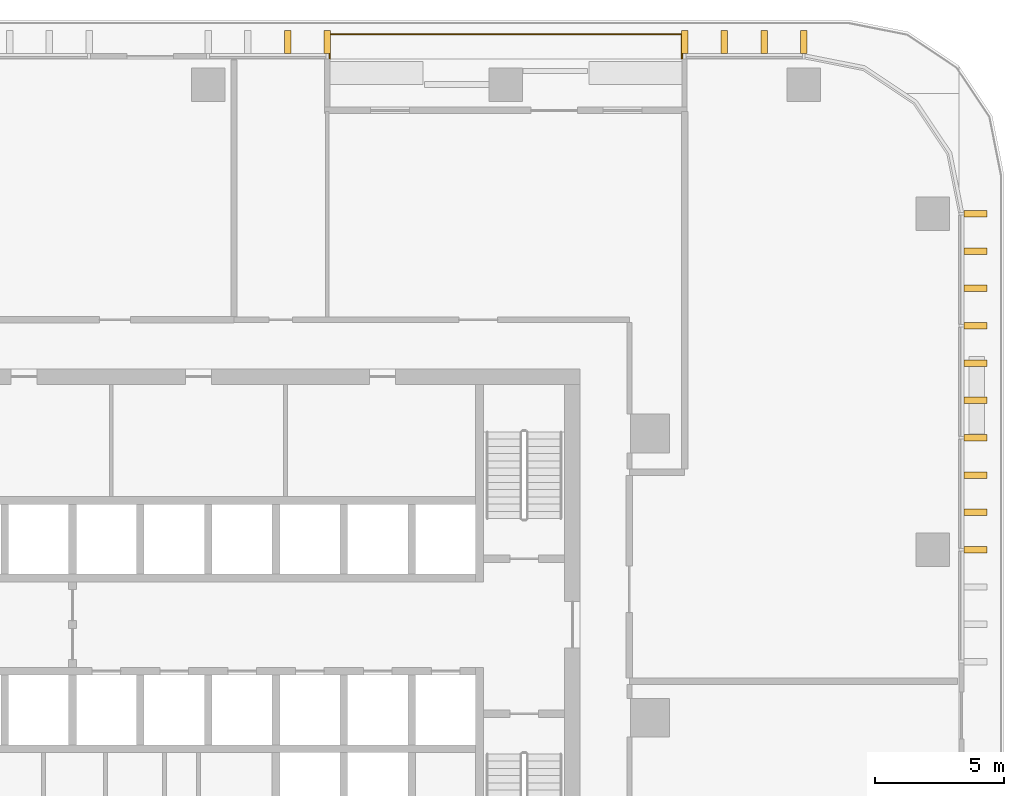
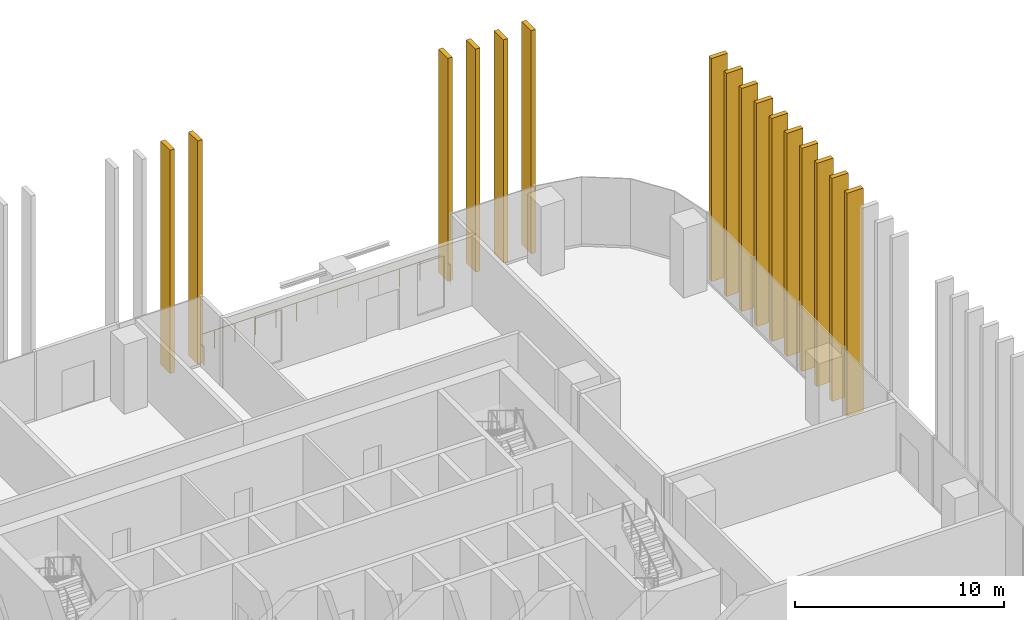
# One storey, part 18 of 18: 16 shading devices, 1 railing.
"""IFC4 building model written with IfcOpenShell, lengths in metres."""

from ifc_helpers import new_model, si_unit, direction, frame, origin, origin_2d, place, context, subcontext, project, spatial, rectangle, circle, extrude, material, type_object, element, save


model = new_model("IFC4")

# Units and contexts
model_context = context("Model", 3, precision=1e-05, world=origin(), true_north=direction((0.0, 1.0)))
body_context = subcontext(model_context, "Body", "Model", "MODEL_VIEW")
ifc_project = project(units=[si_unit("LENGTHUNIT", "METRE"), si_unit("AREAUNIT", "SQUARE_METRE"), si_unit("VOLUMEUNIT", "CUBIC_METRE"), si_unit("PLANEANGLEUNIT", "RADIAN"), si_unit("MASSUNIT", "GRAM", prefix="KILO")], contexts=[model_context])

# Site, building, storey
site_placement = place(None, origin())
site = spatial("IfcSite", under=ifc_project, at=site_placement, CompositionType="ELEMENT")
building_placement = place(site_placement, origin())
building = spatial("IfcBuilding", under=site, at=building_placement, Name="Mopane Tessera Tower", CompositionType="ELEMENT")
storey_placement = place(building_placement, frame((0.0, 0.0, 94.60009765625)))
storey = spatial("IfcBuildingStorey", under=building, at=storey_placement, Name="L18", CompositionType="ELEMENT", Elevation=94.60009765625)

# Shading devices
ifc_material_1 = material(Name="Glazed ceramic tile")
shading_device_type = type_object("IfcShadingDeviceType", Name="Ceramic tile fin 900 x 250 mm", PredefinedType="USERDEFINED", material=ifc_material_1)
for number, where, z_axis, x_axis, name in (
    (1, (29.699951171875, 6.5, 0.0), (0.0, 0.0, 1.0), (0.0, 1.0, 0.0), "e:fin:L18:E:6:0"),
    (2, (29.699951171875, 7.9443359375, 0.0), (0.0, 0.0, 1.0), (0.0, 1.0, 0.0), "e:fin:L18:E:6:1"),
    (3, (29.699951171875, 9.388916015625, 0.0), (0.0, 0.0, 1.0), (0.0, 1.0, 0.0), "e:fin:L18:E:6:2"),
    (4, (29.699951171875, 10.833251953125, 0.0), (0.0, 0.0, 1.0), (0.0, 1.0, 0.0), "e:fin:L18:E:7:0"),
    (5, (29.699951171875, 12.27783203125, 0.0), (0.0, 0.0, 1.0), (0.0, 1.0, 0.0), "e:fin:L18:E:7:1"),
    (6, (29.699951171875, 13.72216796875, 0.0), (0.0, 0.0, 1.0), (0.0, 1.0, 0.0), "e:fin:L18:E:7:2"),
    (7, (29.699951171875, 15.166748046875, 0.0), (0.0, 0.0, 1.0), (0.0, 1.0, 0.0), "e:fin:L18:E:8:0"),
    (8, (29.699951171875, 16.611083984375, 0.0), (0.0, 0.0, 1.0), (0.0, 1.0, 0.0), "e:fin:L18:E:8:1"),
    (9, (29.699951171875, 18.0556640625, 0.0), (0.0, 0.0, 1.0), (0.0, 1.0, 0.0), "e:fin:L18:E:8:2"),
    (10, (29.699951171875, 19.5, 0.0), (0.0, 0.0, 1.0), (0.0, 1.0, 0.0), "e:fin:L18:E:8:3"),
    (11, (23.050048828125, 26.14990234375, 0.0), (0.0, 0.0, 1.0), (-1.0, 0.0, 0.0), "e:fin:L18:N:0:0"),
    (12, (21.513427734375, 26.14990234375, 0.0), (0.0, 0.0, 1.0), (-1.0, 0.0, 0.0), "e:fin:L18:N:0:1"),
    (13, (19.9765625, 26.14990234375, 0.0), (0.0, 0.0, 1.0), (-1.0, 0.0, 0.0), "e:fin:L18:N:0:2"),
    (14, (18.43994140625, 26.14990234375, 0.0), (0.0, 0.0, 1.0), (-1.0, 0.0, 0.0), "e:fin:L18:N:0:3"),
    (15, (4.610107421875, 26.14990234375, 0.0), (0.0, 0.0, 1.0), (-1.0, 0.0, 0.0), "e:fin:L18:N:4:0"),
    (16, (3.0732421875, 26.14990234375, 0.0), (0.0, 0.0, 1.0), (-1.0, 0.0, 0.0), "e:fin:L18:N:4:1"),
):
    element("IfcShadingDevice", number, at=place(storey_placement, frame(where, z_axis=z_axis, x_axis=x_axis)), inside=storey, type_object=shading_device_type, Name=name, ObjectType="FIN", PredefinedType="USERDEFINED", context=body_context, shape_type="SweptSolid", body=[
        extrude(rectangle(XDim=0.25, YDim=0.89990234375, at=origin_2d()), origin(), (0.0, 0.0, 1.0), 13.050048828125),
    ])

# Railing
ifc_material_2 = material(Name="Stainless steel S316", Category="steel")
railing_type = type_object("IfcRailingType", Name="Terrace guard 1100", PredefinedType="GUARDRAIL", material=ifc_material_2)
railing_placement = place(storey_placement, frame((18.340087890625, 25.5, 0.0)))
element("IfcRailing", 17, at=railing_placement, inside=storey, type_object=railing_type, Name="e:nw:L18:N1:guard", PredefinedType="GUARDRAIL", context=body_context, shape_type="SweptSolid", body=[
    extrude(circle(Radius=0.02392578125, at=origin_2d()), frame((0.0, 0.0, 1.076171875), z_axis=(0.0, 1.0, 0.0), x_axis=(-1.0, 0.0, 0.0)), (0.0, 0.0, 1.0), 0.949951171875),
    extrude(circle(Radius=0.02392578125, at=origin_2d()), frame((0.0, 0.949951171875, 1.076171875), z_axis=(-1.0, 0.0, 0.0), x_axis=(0.0, -1.0, 0.0)), (0.0, 0.0, 1.0), 13.630126953125),
    extrude(circle(Radius=0.02392578125, at=origin_2d()), frame((-13.630126953125, 0.949951171875, 1.076171875), z_axis=(0.0, -1.0, 0.0), x_axis=(1.0, 0.0, 0.0)), (0.0, 0.0, 1.0), 0.949951171875),
    extrude(circle(Radius=0.02099609375, at=origin_2d()), origin(), (0.0, 0.0, 1.0), 1.052001953125),
    extrude(circle(Radius=0.02099609375, at=origin_2d()), frame((0.0, 0.949951171875, 0.0)), (0.0, 0.0, 1.0), 1.052001953125),
    extrude(circle(Radius=0.02099609375, at=origin_2d()), frame((-1.1357421875, 0.949951171875, 0.0)), (0.0, 0.0, 1.0), 1.052001953125),
    extrude(circle(Radius=0.02099609375, at=origin_2d()), frame((-2.271728515625, 0.949951171875, 0.0)), (0.0, 0.0, 1.0), 1.052001953125),
    extrude(circle(Radius=0.02099609375, at=origin_2d()), frame((-3.407470703125, 0.949951171875, 0.0)), (0.0, 0.0, 1.0), 1.052001953125),
    extrude(circle(Radius=0.02099609375, at=origin_2d()), frame((-4.54345703125, 0.949951171875, 0.0)), (0.0, 0.0, 1.0), 1.052001953125),
    extrude(circle(Radius=0.02099609375, at=origin_2d()), frame((-5.67919921875, 0.949951171875, 0.0)), (0.0, 0.0, 1.0), 1.052001953125),
    extrude(circle(Radius=0.02099609375, at=origin_2d()), frame((-6.81494140625, 0.949951171875, 0.0)), (0.0, 0.0, 1.0), 1.052001953125),
    extrude(circle(Radius=0.02099609375, at=origin_2d()), frame((-7.950927734375, 0.949951171875, 0.0)), (0.0, 0.0, 1.0), 1.052001953125),
    extrude(circle(Radius=0.02099609375, at=origin_2d()), frame((-9.086669921875, 0.949951171875, 0.0)), (0.0, 0.0, 1.0), 1.052001953125),
    extrude(circle(Radius=0.02099609375, at=origin_2d()), frame((-10.22265625, 0.949951171875, 0.0)), (0.0, 0.0, 1.0), 1.052001953125),
    extrude(circle(Radius=0.02099609375, at=origin_2d()), frame((-11.3583984375, 0.949951171875, 0.0)), (0.0, 0.0, 1.0), 1.052001953125),
    extrude(circle(Radius=0.02099609375, at=origin_2d()), frame((-12.494384765625, 0.949951171875, 0.0)), (0.0, 0.0, 1.0), 1.052001953125),
    extrude(circle(Radius=0.02099609375, at=origin_2d()), frame((-13.630126953125, 0.949951171875, 0.0)), (0.0, 0.0, 1.0), 1.052001953125),
    extrude(circle(Radius=0.02099609375, at=origin_2d()), frame((-13.630126953125, 0.0, 0.0)), (0.0, 0.0, 1.0), 1.052001953125),
])

save(model, "model.ifc")
